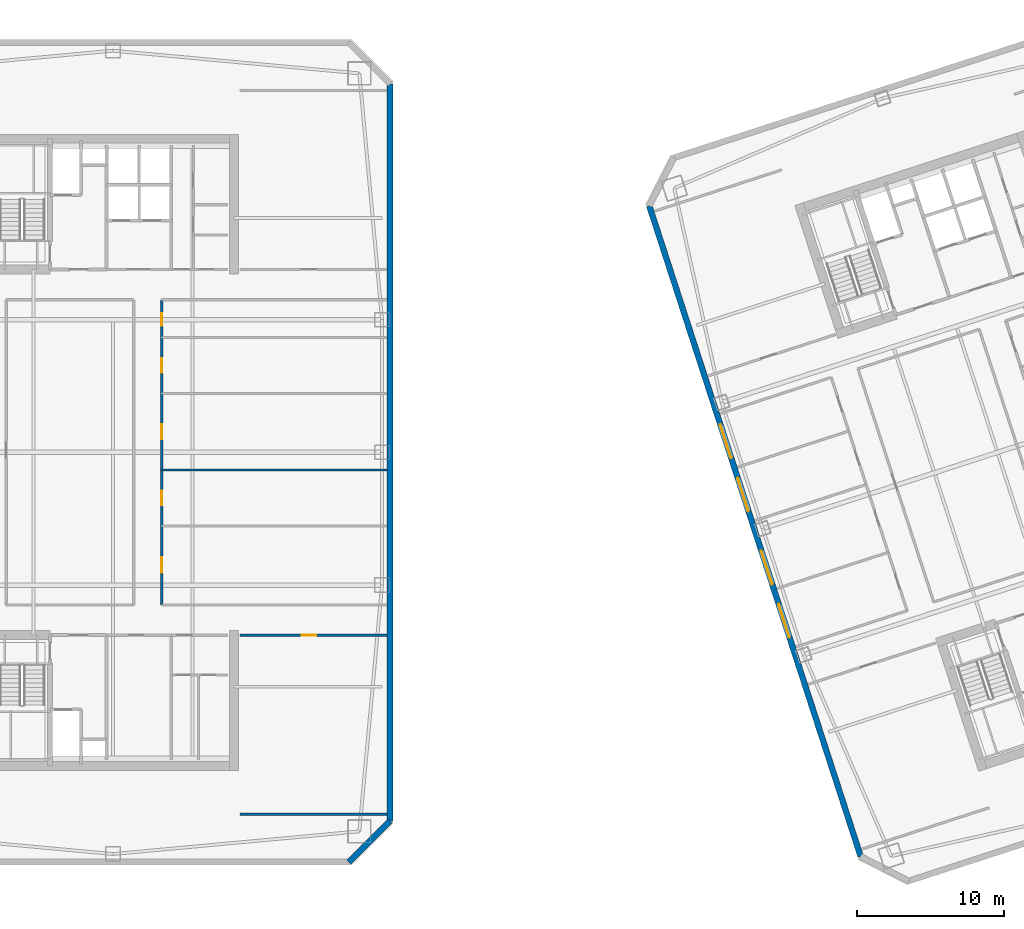
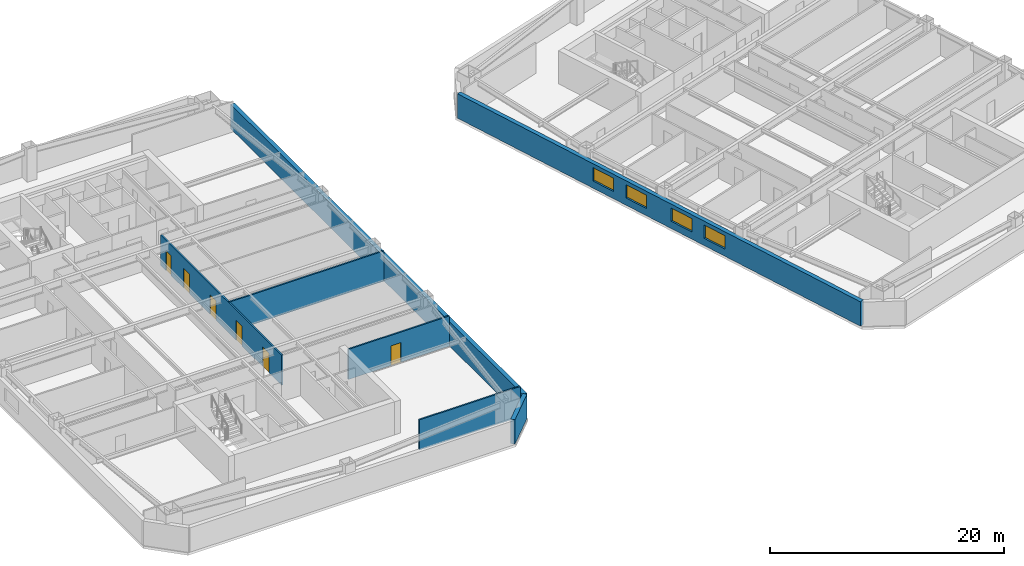
# One storey, part 4 of 11: 7 walls, 6 doors, 4 windows, 10 openings.
"""IFC4 building model written with IfcOpenShell, lengths in metres."""

from ifc_helpers import new_model, si_unit, direction, frame, frame_2d, origin, place, context, subcontext, project, spatial, rectangle, extrude, material, layer, layer_set, type_object, element, fill, save


model = new_model("IFC4")

# Units and contexts
model_context = context("Model", 3, precision=1e-05, world=origin(), true_north=direction((0.0, 1.0)))
body_context = subcontext(model_context, "Body", "Model", "MODEL_VIEW")
ifc_project = project(units=[si_unit("LENGTHUNIT", "METRE"), si_unit("AREAUNIT", "SQUARE_METRE"), si_unit("VOLUMEUNIT", "CUBIC_METRE"), si_unit("PLANEANGLEUNIT", "RADIAN"), si_unit("MASSUNIT", "GRAM", prefix="KILO")], contexts=[model_context])

# Site, building, storey
site_placement = place(None, origin())
site = spatial("IfcSite", under=ifc_project, at=site_placement, CompositionType="ELEMENT")
building_placement = place(site_placement, origin())
building = spatial("IfcBuilding", under=site, at=building_placement, Name="Qiaolan Cultural Towers", CompositionType="ELEMENT")
storey_placement = place(building_placement, frame((0.0, 0.0, 96.60009765625)))
storey = spatial("IfcBuildingStorey", under=building, at=storey_placement, Name="L24", CompositionType="ELEMENT", Elevation=96.60009765625)

# Walls
ifc_material_1 = material(Name="Precast Concrete C50 Honed Stone Pier", Category="masonry")
ifc_layer_1 = layer(ifc_material_1, 0.39990234375)
ifc_layer_set_1 = layer_set([ifc_layer_1], Name="Precast Concrete C50 Honed Stone Pier")
wall_type_1 = type_object("IfcWallType", Name="WL-EXT-PIER-400", PredefinedType="SOLIDWALL", material=ifc_layer_set_1)
wall_1_placement = place(storey_placement, frame((48.800048828125, 59.0, 0.0), z_axis=(0.0, 0.0, 1.0), x_axis=(0.0, -1.0, 0.0)))
element("IfcWall", 1, at=wall_1_placement, inside=storey, type_object=wall_type_1, Name="L24 West Tower Precast Pier Facade Wall F5", PredefinedType="SOLIDWALL", context=body_context, shape_type="SweptSolid", body=[
    extrude(rectangle(XDim=50.0, YDim=0.39990234375, at=frame_2d((25.0, 0.0))), origin(), (0.0, 0.0, 1.0), 2.5498046875),
])
wall_2_placement = place(storey_placement, frame((48.800048828125, 9.0, 0.0), z_axis=(0.0, 0.0, 1.0), x_axis=(-0.707106781187, -0.707106781187, 0.0)))
element("IfcWall", 2, at=wall_2_placement, inside=storey, type_object=wall_type_1, Name="L24 West Tower Precast Pier Facade Wall F6", PredefinedType="SOLIDWALL", context=body_context, shape_type="SweptSolid", body=[
    extrude(rectangle(XDim=3.9599609375, YDim=0.39990234375, at=frame_2d((1.97998046875, 0.0))), origin(), (0.0, 0.0, 1.0), 2.5498046875),
])

# Wall, openings, windows
wall_3_placement = place(storey_placement, frame((80.7158203125, 6.589599609375, 0.0), z_axis=(0.0, 0.0, 1.0), x_axis=(-0.309017542002, 0.95105633836, 0.0)))
wall_3 = element("IfcWall", 3, at=wall_3_placement, inside=storey, type_object=wall_type_1, Name="L24 East Tower Precast Pier Facade Wall F1", PredefinedType="SOLIDWALL", context=body_context, shape_type="SweptSolid", body=[
    extrude(rectangle(XDim=46.39990234375, YDim=0.39990234375, at=frame_2d((23.199951171875, 0.0))), origin(), (0.0, 0.0, 1.0), 2.5498046875),
])
opening_1_placement = place(wall_3_placement, frame((15.60009765625, 0.0, 0.75)))
opening_1 = element("IfcOpeningElement", 4, at=opening_1_placement, cuts=wall_3, Name="Opening W-02", PredefinedType="OPENING", context=body_context, shape_type="SweptSolid", body=[
    extrude(rectangle(XDim=2.39990234375, YDim=1.39990234375, at=frame_2d((1.199951171875, 0.699951171875))), frame((0.0, 0.2099609375, 0.0), z_axis=(0.0, -1.0, 0.0), x_axis=(1.0, 0.0, 0.0)), (0.0, 0.0, 1.0), 0.419921875),
])
opening_2_placement = place(wall_3_placement, frame((19.39990234375, 0.0, 0.75)))
opening_2 = element("IfcOpeningElement", 5, at=opening_2_placement, cuts=wall_3, Name="Opening W-02", PredefinedType="OPENING", context=body_context, shape_type="SweptSolid", body=[
    extrude(rectangle(XDim=2.39990234375, YDim=1.39990234375, at=frame_2d((1.199951171875, 0.699951171875))), frame((0.0, 0.2099609375, 0.0), z_axis=(0.0, -1.0, 0.0), x_axis=(1.0, 0.0, 0.0)), (0.0, 0.0, 1.0), 0.419921875),
])
opening_3_placement = place(wall_3_placement, frame((24.60009765625, 0.0, 0.75)))
opening_3 = element("IfcOpeningElement", 6, at=opening_3_placement, cuts=wall_3, Name="Opening W-02", PredefinedType="OPENING", context=body_context, shape_type="SweptSolid", body=[
    extrude(rectangle(XDim=2.39990234375, YDim=1.39990234375, at=frame_2d((1.199951171875, 0.699951171875))), frame((0.0, 0.2099609375, 0.0), z_axis=(0.0, -1.0, 0.0), x_axis=(1.0, 0.0, 0.0)), (0.0, 0.0, 1.0), 0.419921875),
])
opening_4_placement = place(wall_3_placement, frame((28.39990234375, 0.0, 0.75)))
opening_4 = element("IfcOpeningElement", 7, at=opening_4_placement, cuts=wall_3, Name="Opening W-02", PredefinedType="OPENING", context=body_context, shape_type="SweptSolid", body=[
    extrude(rectangle(XDim=2.39990234375, YDim=1.39990234375, at=frame_2d((1.199951171875, 0.699951171875))), frame((0.0, 0.2099609375, 0.0), z_axis=(0.0, -1.0, 0.0), x_axis=(1.0, 0.0, 0.0)), (0.0, 0.0, 1.0), 0.419921875),
])
ifc_material_2 = material(Name="Thermally Broken Aluminium Triple Low-E Glazing", Category="aluminium")
window_type = type_object("IfcWindowType", Name="WN-CHIC-2400", PartitioningType="SINGLE_PANEL", PredefinedType="WINDOW", material=ifc_material_2)
window_1_placement = place(opening_1_placement, origin())
window_1 = element("IfcWindow", 8, at=window_1_placement, inside=storey, type_object=window_type, Name="L24 T2 W Chicago Bay Window 1", OverallHeight=1.39990234375, OverallWidth=2.39990234375, PartitioningType="TRIPLE_PANEL_VERTICAL", PredefinedType="WINDOW", context=body_context, shape_type="SweptSolid", body=[
    extrude(rectangle(XDim=2.39990234375, YDim=1.39990234375, at=frame_2d((1.199951171875, 0.699951171875))), frame((0.0, 0.030029296875, 0.0), z_axis=(0.0, -1.0, 0.0), x_axis=(1.0, 0.0, 0.0)), (0.0, 0.0, 1.0), 0.06005859375),
])
fill(opening_1, window_1)
window_2_placement = place(opening_2_placement, origin())
window_2 = element("IfcWindow", 9, at=window_2_placement, inside=storey, type_object=window_type, Name="L24 T2 W Chicago Bay Window 2", OverallHeight=1.39990234375, OverallWidth=2.39990234375, PartitioningType="TRIPLE_PANEL_VERTICAL", PredefinedType="WINDOW", context=body_context, shape_type="SweptSolid", body=[
    extrude(rectangle(XDim=2.39990234375, YDim=1.39990234375, at=frame_2d((1.199951171875, 0.699951171875))), frame((0.0, 0.030029296875, 0.0), z_axis=(0.0, -1.0, 0.0), x_axis=(1.0, 0.0, 0.0)), (0.0, 0.0, 1.0), 0.06005859375),
])
fill(opening_2, window_2)
window_3_placement = place(opening_3_placement, origin())
window_3 = element("IfcWindow", 10, at=window_3_placement, inside=storey, type_object=window_type, Name="L24 T2 W Chicago Bay Window 3", OverallHeight=1.39990234375, OverallWidth=2.39990234375, PartitioningType="TRIPLE_PANEL_VERTICAL", PredefinedType="WINDOW", context=body_context, shape_type="SweptSolid", body=[
    extrude(rectangle(XDim=2.39990234375, YDim=1.39990234375, at=frame_2d((1.199951171875, 0.699951171875))), frame((0.0, 0.030029296875, 0.0), z_axis=(0.0, -1.0, 0.0), x_axis=(1.0, 0.0, 0.0)), (0.0, 0.0, 1.0), 0.06005859375),
])
fill(opening_3, window_3)
window_4_placement = place(opening_4_placement, origin())
window_4 = element("IfcWindow", 11, at=window_4_placement, inside=storey, type_object=window_type, Name="L24 T2 W Chicago Bay Window 4", OverallHeight=1.39990234375, OverallWidth=2.39990234375, PartitioningType="TRIPLE_PANEL_VERTICAL", PredefinedType="WINDOW", context=body_context, shape_type="SweptSolid", body=[
    extrude(rectangle(XDim=2.39990234375, YDim=1.39990234375, at=frame_2d((1.199951171875, 0.699951171875))), frame((0.0, 0.030029296875, 0.0), z_axis=(0.0, -1.0, 0.0), x_axis=(1.0, 0.0, 0.0)), (0.0, 0.0, 1.0), 0.06005859375),
])
fill(opening_4, window_4)

# Wall
ifc_material_3 = material(Name="Autoclaved Aerated Concrete Block B06", Category="concrete")
ifc_layer_2 = layer(ifc_material_3, 0.14990234375)
ifc_layer_set_2 = layer_set([ifc_layer_2], Name="Autoclaved Aerated Concrete Block B06")
wall_type_2 = type_object("IfcWallType", Name="WL-PART-150", PredefinedType="PARTITIONING", material=ifc_layer_set_2)
wall_4_placement = place(storey_placement, frame((38.60009765625, 9.449951171875, 0.0), z_axis=(0.0, 0.0, 1.0), x_axis=(1.0, 0.0, 0.0)))
element("IfcWall", 12, at=wall_4_placement, inside=storey, type_object=wall_type_2, Name="L24 T1 Flank Wall FLK-SE", PredefinedType="PARTITIONING", context=body_context, shape_type="SweptSolid", body=[
    extrude(rectangle(XDim=10.0, YDim=0.14990234375, at=frame_2d((5.0, 0.0))), origin(), (0.0, 0.0, 1.0), 3.15478515625),
])

# Wall, opening, door
wall_5_placement = place(storey_placement, frame((38.60009765625, 21.60009765625, 0.0), z_axis=(0.0, 0.0, 1.0), x_axis=(1.0, 0.0, 0.0)))
wall_5 = element("IfcWall", 13, at=wall_5_placement, inside=storey, type_object=wall_type_2, Name="L24 T1 Flank Front FLK-SE", PredefinedType="PARTITIONING", context=body_context, shape_type="SweptSolid", body=[
    extrude(rectangle(XDim=10.0, YDim=0.14990234375, at=frame_2d((5.0, 0.0))), origin(), (0.0, 0.0, 1.0), 3.15478515625),
])
opening_5_placement = place(wall_5_placement, frame((4.199951171875, 0.0, 0.0)))
opening_5 = element("IfcOpeningElement", 14, at=opening_5_placement, cuts=wall_5, Name="Opening ID-04", PredefinedType="OPENING", context=body_context, shape_type="SweptSolid", body=[
    extrude(rectangle(XDim=1.0, YDim=2.050048828125, at=frame_2d((0.5, 1.02490234375))), frame((0.0, 0.0849609375, 0.0), z_axis=(0.0, -1.0, 0.0), x_axis=(1.0, 0.0, 0.0)), (0.0, 0.0, 1.0), 0.169921875),
])
ifc_material_4 = material(Name="Oak Veneer Acoustic Office Door", Category="timber")
door_type_1 = type_object("IfcDoorType", Name="DR-INT-1000", OperationType="NOTDEFINED", PredefinedType="DOOR", material=ifc_material_4)
door_1_placement = place(opening_5_placement, origin())
door_1 = element("IfcDoor", 15, at=door_1_placement, inside=storey, type_object=door_type_1, Name="L24 T1 Corner Studio Door", OperationType="SINGLE_SWING_LEFT", OverallHeight=2.050048828125, OverallWidth=1.0, PredefinedType="DOOR", context=body_context, shape_type="SweptSolid", body=[
    extrude(rectangle(XDim=1.0, YDim=2.050048828125, at=frame_2d((0.5, 1.02490234375))), frame((0.0, 0.02490234375, 0.0), z_axis=(0.0, -1.0, 0.0), x_axis=(1.0, 0.0, 0.0)), (0.0, 0.0, 1.0), 0.050048828125),
])
fill(opening_5, door_1)

# Wall, openings, doors
wall_6_placement = place(storey_placement, frame((33.300048828125, 23.64990234375, 0.0), z_axis=(0.0, 0.0, 1.0), x_axis=(0.0, 1.0, 0.0)))
wall_6 = element("IfcWall", 16, at=wall_6_placement, inside=storey, type_object=wall_type_2, Name="L24 T1 Interior Wall", PredefinedType="PARTITIONING", context=body_context, shape_type="SweptSolid", body=[
    extrude(rectangle(XDim=20.7001953125, YDim=0.14990234375, at=frame_2d((10.35009765625, 0.0))), origin(), (0.0, 0.0, 1.0), 3.15478515625),
])
opening_6_placement = place(wall_6_placement, frame((2.175048828125, 0.0, 0.0)))
opening_6 = element("IfcOpeningElement", 17, at=opening_6_placement, cuts=wall_6, Name="Opening ID-07", PredefinedType="OPENING", context=body_context, shape_type="SweptSolid", body=[
    extrude(rectangle(XDim=1.050048828125, YDim=2.050048828125, at=frame_2d((0.52490234375, 1.02490234375))), frame((0.0, 0.0849609375, 0.0), z_axis=(0.0, -1.0, 0.0), x_axis=(1.0, 0.0, 0.0)), (0.0, 0.0, 1.0), 0.169921875),
])
opening_7_placement = place(wall_6_placement, frame((6.75, 0.0, 0.0)))
opening_7 = element("IfcOpeningElement", 18, at=opening_7_placement, cuts=wall_6, Name="Opening ID-04", PredefinedType="OPENING", context=body_context, shape_type="SweptSolid", body=[
    extrude(rectangle(XDim=1.0, YDim=2.050048828125, at=frame_2d((0.5, 1.02490234375))), frame((0.0, 0.0849609375, 0.0), z_axis=(0.0, -1.0, 0.0), x_axis=(1.0, 0.0, 0.0)), (0.0, 0.0, 1.0), 0.169921875),
])
opening_8_placement = place(wall_6_placement, frame((11.25, 0.0, 0.0)))
opening_8 = element("IfcOpeningElement", 19, at=opening_8_placement, cuts=wall_6, Name="Opening ID-04", PredefinedType="OPENING", context=body_context, shape_type="SweptSolid", body=[
    extrude(rectangle(XDim=1.0, YDim=2.050048828125, at=frame_2d((0.5, 1.02490234375))), frame((0.0, 0.0849609375, 0.0), z_axis=(0.0, -1.0, 0.0), x_axis=(1.0, 0.0, 0.0)), (0.0, 0.0, 1.0), 0.169921875),
])
opening_9_placement = place(wall_6_placement, frame((15.75, 0.0, 0.0)))
opening_9 = element("IfcOpeningElement", 20, at=opening_9_placement, cuts=wall_6, Name="Opening ID-04", PredefinedType="OPENING", context=body_context, shape_type="SweptSolid", body=[
    extrude(rectangle(XDim=1.0, YDim=2.050048828125, at=frame_2d((0.5, 1.02490234375))), frame((0.0, 0.0849609375, 0.0), z_axis=(0.0, -1.0, 0.0), x_axis=(1.0, 0.0, 0.0)), (0.0, 0.0, 1.0), 0.169921875),
])
opening_10_placement = place(wall_6_placement, frame((18.925048828125, 0.0, 0.0)))
opening_10 = element("IfcOpeningElement", 21, at=opening_10_placement, cuts=wall_6, Name="Opening ID-09", PredefinedType="OPENING", context=body_context, shape_type="SweptSolid", body=[
    extrude(rectangle(XDim=0.85009765625, YDim=2.050048828125, at=frame_2d((0.425048828125, 1.02490234375))), frame((0.0, 0.0849609375, 0.0), z_axis=(0.0, -1.0, 0.0), x_axis=(1.0, 0.0, 0.0)), (0.0, 0.0, 1.0), 0.169921875),
])
door_2_placement = place(opening_7_placement, origin())
door_2 = element("IfcDoor", 22, at=door_2_placement, inside=storey, type_object=door_type_1, Name="L24 T1 Archival Research Office Door", OperationType="SINGLE_SWING_LEFT", OverallHeight=2.050048828125, OverallWidth=1.0, PredefinedType="DOOR", context=body_context, shape_type="SweptSolid", body=[
    extrude(rectangle(XDim=1.0, YDim=2.050048828125, at=frame_2d((0.5, 1.02490234375))), frame((0.0, 0.02490234375, 0.0), z_axis=(0.0, -1.0, 0.0), x_axis=(1.0, 0.0, 0.0)), (0.0, 0.0, 1.0), 0.050048828125),
])
fill(opening_7, door_2)
door_3_placement = place(opening_8_placement, origin())
door_3 = element("IfcDoor", 23, at=door_3_placement, inside=storey, type_object=door_type_1, Name="L24 T1 Colloquium Room Door", OperationType="SINGLE_SWING_RIGHT", OverallHeight=2.050048828125, OverallWidth=1.0, PredefinedType="DOOR", context=body_context, shape_type="SweptSolid", body=[
    extrude(rectangle(XDim=1.0, YDim=2.050048828125, at=frame_2d((0.5, 1.02490234375))), frame((0.0, 0.02490234375, 0.0), z_axis=(0.0, -1.0, 0.0), x_axis=(1.0, 0.0, 0.0)), (0.0, 0.0, 1.0), 0.050048828125),
])
fill(opening_8, door_3)
door_4_placement = place(opening_9_placement, origin())
door_4 = element("IfcDoor", 24, at=door_4_placement, inside=storey, type_object=door_type_1, Name="L24 T1 Tea Kitchen Door", OperationType="SINGLE_SWING_LEFT", OverallHeight=2.050048828125, OverallWidth=1.0, PredefinedType="DOOR", context=body_context, shape_type="SweptSolid", body=[
    extrude(rectangle(XDim=1.0, YDim=2.050048828125, at=frame_2d((0.5, 1.02490234375))), frame((0.0, 0.02490234375, 0.0), z_axis=(0.0, -1.0, 0.0), x_axis=(1.0, 0.0, 0.0)), (0.0, 0.0, 1.0), 0.050048828125),
])
fill(opening_9, door_4)
ifc_material_5 = material(Name="Oak Veneer Consultation Door", Category="timber")
door_type_2 = type_object("IfcDoorType", Name="DR-INT-1050", OperationType="NOTDEFINED", PredefinedType="DOOR", material=ifc_material_5)
door_5_placement = place(opening_6_placement, origin())
door_5 = element("IfcDoor", 25, at=door_5_placement, inside=storey, type_object=door_type_2, Name="L24 T1 Archival Research Office Door", OperationType="SINGLE_SWING_RIGHT", OverallHeight=2.050048828125, OverallWidth=1.050048828125, PredefinedType="DOOR", context=body_context, shape_type="SweptSolid", body=[
    extrude(rectangle(XDim=1.050048828125, YDim=2.050048828125, at=frame_2d((0.52490234375, 1.02490234375))), frame((0.0, 0.02490234375, 0.0), z_axis=(0.0, -1.0, 0.0), x_axis=(1.0, 0.0, 0.0)), (0.0, 0.0, 1.0), 0.050048828125),
])
fill(opening_6, door_5)
ifc_material_6 = material(Name="Moisture-Resistant Laminate Utility Door", Category="timber")
door_type_3 = type_object("IfcDoorType", Name="DR-INT-850", OperationType="NOTDEFINED", PredefinedType="DOOR", material=ifc_material_6)
door_6_placement = place(opening_10_placement, origin())
door_6 = element("IfcDoor", 26, at=door_6_placement, inside=storey, type_object=door_type_3, Name="L24 T1 Scholar Lounge Door", OperationType="SINGLE_SWING_RIGHT", OverallHeight=2.050048828125, OverallWidth=0.85009765625, PredefinedType="DOOR", context=body_context, shape_type="SweptSolid", body=[
    extrude(rectangle(XDim=0.85009765625, YDim=2.050048828125, at=frame_2d((0.425048828125, 1.02490234375))), frame((0.0, 0.02490234375, 0.0), z_axis=(0.0, -1.0, 0.0), x_axis=(1.0, 0.0, 0.0)), (0.0, 0.0, 1.0), 0.050048828125),
])
fill(opening_10, door_6)

# Wall
wall_7_placement = place(storey_placement, frame((33.300048828125, 32.800048828125, 0.0), z_axis=(0.0, 0.0, 1.0), x_axis=(1.0, 0.0, 0.0)))
element("IfcWall", 27, at=wall_7_placement, inside=storey, type_object=wall_type_2, Name="L24 T1 Interior Wall", PredefinedType="PARTITIONING", context=body_context, shape_type="SweptSolid", body=[
    extrude(rectangle(XDim=15.300048828125, YDim=0.14990234375, at=frame_2d((7.64990234375, 0.0))), origin(), (0.0, 0.0, 1.0), 3.15478515625),
])

save(model, "model.ifc")
